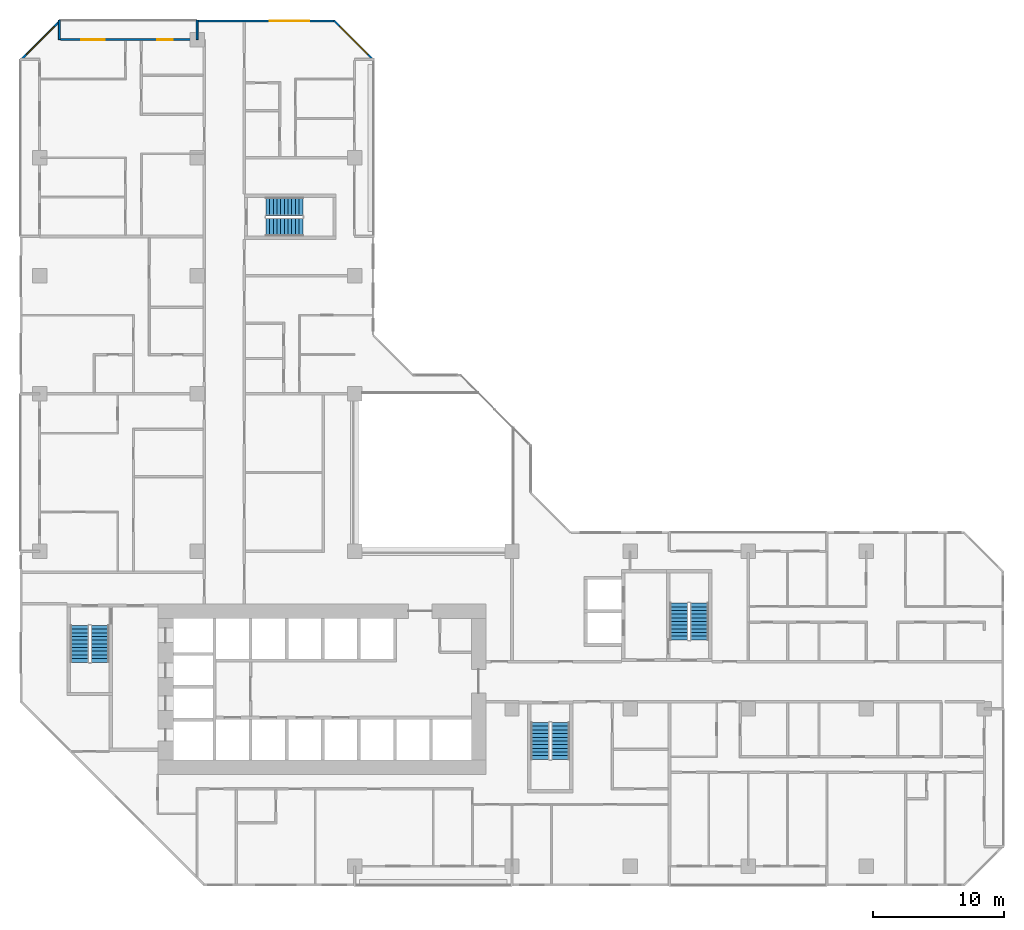
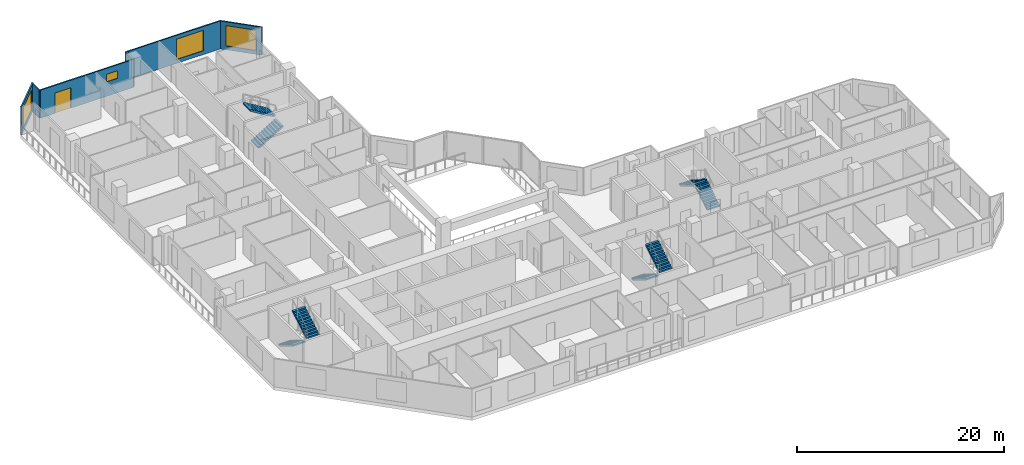
# One storey, part 14 of 16: 8 stair flights, 6 walls, 4 windows, 1 door, 5 openings, 4 elements without a shape of their own.
"""IFC4 building model written with IfcOpenShell, lengths in metres."""

from ifc_helpers import new_model, si_unit, direction, frame, frame_2d, origin, place, context, subcontext, project, spatial, polyline, rectangle, outline, extrude, material, layer, layer_set, type_object, element, fill, aggregate, save


model = new_model("IFC4")

# Units and contexts
model_context = context("Model", 3, precision=1e-05, world=origin(), true_north=direction((0.0, 1.0)))
body_context = subcontext(model_context, "Body", "Model", "MODEL_VIEW")
ifc_project = project(units=[si_unit("LENGTHUNIT", "METRE"), si_unit("AREAUNIT", "SQUARE_METRE"), si_unit("VOLUMEUNIT", "CUBIC_METRE"), si_unit("PLANEANGLEUNIT", "RADIAN"), si_unit("MASSUNIT", "GRAM", prefix="KILO")], contexts=[model_context])

# Site, building, storey
site_placement = place(None, origin())
site = spatial("IfcSite", under=ifc_project, at=site_placement, CompositionType="ELEMENT")
building_placement = place(site_placement, origin())
building = spatial("IfcBuilding", under=site, at=building_placement, Name="Chenar Terraces", CompositionType="ELEMENT")
storey_placement = place(building_placement, frame((0.0, 0.0, 82.64990234375)))
storey = spatial("IfcBuildingStorey", under=building, at=storey_placement, Name="L18", CompositionType="ELEMENT", Elevation=82.64990234375)

# Wall, opening, window
ifc_material_1 = material(Name="Aluminium framed glazing", Category="aluminium")
ifc_layer_1 = layer(ifc_material_1, 0.14990234375)
ifc_layer_set_1 = layer_set([ifc_layer_1], Name="Aluminium framed glazing")
wall_type_1 = type_object("IfcWallType", Name="Glazed flush facade wall 150", PredefinedType="SOLIDWALL", material=ifc_layer_set_1)
wall_1_placement = place(storey_placement, frame((22.5, 64.425048828125, 0.0), z_axis=(0.0, 0.0, 1.0), x_axis=(-1.0, 0.0, 0.0)))
wall_1 = element("IfcWall", 1, at=wall_1_placement, inside=storey, type_object=wall_type_1, Name="Glazed flush facade wall", PredefinedType="SOLIDWALL", context=body_context, shape_type="SweptSolid", body=[
    extrude(rectangle(XDim=10.425048828125, YDim=0.14990234375, at=frame_2d((5.21240234375, 0.0))), origin(), (0.0, 0.0, 1.0), 3.300048828125),
])
opening_1_placement = place(wall_1_placement, frame((1.949951171875, 0.0, 0.449951171875)))
opening_1 = element("IfcOpeningElement", 2, at=opening_1_placement, cuts=wall_1, Name="Opening W300x240", PredefinedType="OPENING", context=body_context, shape_type="SweptSolid", body=[
    extrude(rectangle(XDim=3.0, YDim=2.39990234375, at=frame_2d((1.5, 1.199951171875))), frame((0.0, 0.0849609375, 0.0), z_axis=(0.0, -1.0, 0.0), x_axis=(1.0, 0.0, 0.0)), (0.0, 0.0, 1.0), 0.169921875),
])
ifc_material_2 = material(Name="Low emissivity double glazing, aluminium frame", Category="aluminium")
window_type_1 = type_object("IfcWindowType", Name="Fixed light 3000 x 2400", PartitioningType="SINGLE_PANEL", PredefinedType="WINDOW", material=ifc_material_2)
window_1_placement = place(opening_1_placement, origin())
window_1 = element("IfcWindow", 3, at=window_1_placement, inside=storey, type_object=window_type_1, Name="Window", OverallHeight=2.39990234375, OverallWidth=3.0, PartitioningType="SINGLE_PANEL", PredefinedType="WINDOW", context=body_context, shape_type="SweptSolid", body=[
    extrude(rectangle(XDim=3.0, YDim=2.39990234375, at=frame_2d((1.5, 1.199951171875))), frame((0.0, 0.030029296875, 0.0), z_axis=(0.0, -1.0, 0.0), x_axis=(1.0, 0.0, 0.0)), (0.0, 0.0, 1.0), 0.06005859375),
])
fill(opening_1, window_1)

# Wall, openings, window, door
ifc_material_3 = material(Name="Aluminium framed glazing", Category="aluminium")
ifc_layer_2 = layer(ifc_material_3, 0.14990234375)
ifc_layer_set_2 = layer_set([ifc_layer_2], Name="Aluminium framed glazing")
wall_type_2 = type_object("IfcWallType", Name="Glazed loggia back wall 150", PredefinedType="SOLIDWALL", material=ifc_layer_set_2)
wall_2_placement = place(storey_placement, frame((11.925048828125, 63.0, 0.0), z_axis=(0.0, 0.0, 1.0), x_axis=(-1.0, 0.0, 0.0)))
wall_2 = element("IfcWall", 4, at=wall_2_placement, inside=storey, type_object=wall_type_2, Name="Glazed loggia back wall", PredefinedType="SOLIDWALL", context=body_context, shape_type="SweptSolid", body=[
    extrude(rectangle(XDim=10.35009765625, YDim=0.14990234375, at=frame_2d((5.175048828125, 0.0))), origin(), (0.0, 0.0, 1.0), 3.300048828125),
])
opening_2_placement = place(wall_2_placement, frame((1.77490234375, 0.0, 1.699951171875)))
opening_2 = element("IfcOpeningElement", 5, at=opening_2_placement, cuts=wall_2, Name="Opening W120x90", PredefinedType="OPENING", context=body_context, shape_type="SweptSolid", body=[
    extrude(rectangle(XDim=1.199951171875, YDim=0.89990234375, at=frame_2d((0.60009765625, 0.449951171875))), frame((0.0, 0.0849609375, 0.0), z_axis=(0.0, -1.0, 0.0), x_axis=(1.0, 0.0, 0.0)), (0.0, 0.0, 1.0), 0.169921875),
])
opening_3_placement = place(wall_2_placement, frame((6.96240234375, 0.0, 0.0)))
opening_3 = element("IfcOpeningElement", 6, at=opening_3_placement, cuts=wall_2, Name="Opening DL18-G2", PredefinedType="OPENING", context=body_context, shape_type="SweptSolid", body=[
    extrude(rectangle(XDim=1.800048828125, YDim=2.39990234375, at=frame_2d((0.89990234375, 1.199951171875))), frame((0.0, 0.0849609375, 0.0), z_axis=(0.0, -1.0, 0.0), x_axis=(1.0, 0.0, 0.0)), (0.0, 0.0, 1.0), 0.169921875),
])
ifc_material_4 = material(Name="Low emissivity double glazing, aluminium frame", Category="aluminium")
window_type_2 = type_object("IfcWindowType", Name="Fixed light 1200 x 900", PartitioningType="SINGLE_PANEL", PredefinedType="WINDOW", material=ifc_material_4)
window_2_placement = place(opening_2_placement, origin())
window_2 = element("IfcWindow", 7, at=window_2_placement, inside=storey, type_object=window_type_2, Name="Window", OverallHeight=0.89990234375, OverallWidth=1.199951171875, PartitioningType="SINGLE_PANEL", PredefinedType="WINDOW", context=body_context, shape_type="SweptSolid", body=[
    extrude(rectangle(XDim=1.199951171875, YDim=0.89990234375, at=frame_2d((0.60009765625, 0.449951171875))), frame((0.0, 0.030029296875, 0.0), z_axis=(0.0, -1.0, 0.0), x_axis=(1.0, 0.0, 0.0)), (0.0, 0.0, 1.0), 0.06005859375),
])
fill(opening_2, window_2)
ifc_material_5 = material(Name="Low emissivity double glazing, aluminium frame", Category="aluminium")
door_type = type_object("IfcDoorType", Name="Loggia glazed double door 1800 x 2400", OperationType="DOUBLE_DOOR_SINGLE_SWING", PredefinedType="DOOR", material=ifc_material_5)
door_placement = place(opening_3_placement, frame((1.800048828125, 0.0, 0.0), z_axis=(0.0, 0.0, 1.0), x_axis=(-1.0, 0.0, 0.0)))
door = element("IfcDoor", 8, at=door_placement, inside=storey, type_object=door_type, Name="Loggia glazed door", OperationType="DOUBLE_DOOR_SINGLE_SWING", OverallHeight=2.39990234375, OverallWidth=1.800048828125, PredefinedType="DOOR", context=body_context, shape_type="SweptSolid", body=[
    extrude(rectangle(XDim=1.800048828125, YDim=2.39990234375, at=frame_2d((0.89990234375, 1.199951171875))), frame((0.0, 0.02490234375, 0.0), z_axis=(0.0, -1.0, 0.0), x_axis=(1.0, 0.0, 0.0)), (0.0, 0.0, 1.0), 0.050048828125),
])
fill(opening_3, door)

# Walls
ifc_material_6 = material(Name="Terracotta cladding on insulated backing", Category="masonry")
ifc_layer_3 = layer(ifc_material_6, 0.14990234375)
ifc_layer_set_3 = layer_set([ifc_layer_3], Name="Terracotta cladding on insulated backing")
wall_type_3 = type_object("IfcWallType", Name="Loggia return wall 150", PredefinedType="SOLIDWALL", material=ifc_layer_set_3)
for number, where, z_axis, x_axis, name in (
    (9, (12.0, 64.5, 0.0), (0.0, 0.0, 1.0), (0.0, -1.0, 0.0), "Loggia return wall"),
    (10, (1.5, 64.5, 0.0), (0.0, 0.0, 1.0), (0.0, -1.0, 0.0), "Loggia return wall"),
):
    element("IfcWall", number, at=place(storey_placement, frame(where, z_axis=z_axis, x_axis=x_axis)), inside=storey, type_object=wall_type_3, Name=name, PredefinedType="SOLIDWALL", context=body_context, shape_type="SweptSolid", body=[
        extrude(rectangle(XDim=1.5, YDim=0.14990234375, at=frame_2d((0.75, 0.0))), origin(), (0.0, 0.0, 1.0), 3.300048828125),
    ])

# Wall, opening, window
ifc_material_7 = material(Name="Terracotta cladding on insulated backing", Category="masonry")
ifc_layer_4 = layer(ifc_material_7, 0.14990234375)
ifc_layer_set_4 = layer_set([ifc_layer_4], Name="Terracotta cladding on insulated backing")
wall_type_4 = type_object("IfcWallType", Name="Terracotta rainscreen wall 150", PredefinedType="SOLIDWALL", material=ifc_layer_set_4)
wall_3_placement = place(storey_placement, frame((25.447021484375, 61.447021484375, 0.0), z_axis=(0.0, 0.0, 1.0), x_axis=(-0.707106781187, 0.707106781187, 0.0)))
wall_3 = element("IfcWall", 11, at=wall_3_placement, inside=storey, type_object=wall_type_4, Name="Terracotta rainscreen wall", PredefinedType="SOLIDWALL", context=body_context, shape_type="SweptSolid", body=[
    extrude(rectangle(XDim=4.24267578125, YDim=0.14990234375, at=frame_2d((2.121337890625, 0.0))), origin(), (0.0, 0.0, 1.0), 3.300048828125),
])
opening_4_placement = place(wall_3_placement, frame((0.621337890625, 0.0, 0.449951171875)))
opening_4 = element("IfcOpeningElement", 12, at=opening_4_placement, cuts=wall_3, Name="Opening W300x240", PredefinedType="OPENING", context=body_context, shape_type="SweptSolid", body=[
    extrude(rectangle(XDim=3.0, YDim=2.39990234375, at=frame_2d((1.5, 1.199951171875))), frame((0.0, 0.0849609375, 0.0), z_axis=(0.0, -1.0, 0.0), x_axis=(1.0, 0.0, 0.0)), (0.0, 0.0, 1.0), 0.169921875),
])
window_3_placement = place(opening_4_placement, origin())
window_3 = element("IfcWindow", 13, at=window_3_placement, inside=storey, type_object=window_type_1, Name="Window", OverallHeight=2.39990234375, OverallWidth=3.0, PartitioningType="SINGLE_PANEL", PredefinedType="WINDOW", context=body_context, shape_type="SweptSolid", body=[
    extrude(rectangle(XDim=3.0, YDim=2.39990234375, at=frame_2d((1.5, 1.199951171875))), frame((0.0, 0.030029296875, 0.0), z_axis=(0.0, -1.0, 0.0), x_axis=(1.0, 0.0, 0.0)), (0.0, 0.0, 1.0), 0.06005859375),
])
fill(opening_4, window_3)

wall_4_placement = place(storey_placement, frame((1.552978515625, 64.447021484375, 0.0), z_axis=(0.0, 0.0, 1.0), x_axis=(-0.707106781187, -0.707106781187, 0.0)))
wall_4 = element("IfcWall", 14, at=wall_4_placement, inside=storey, type_object=wall_type_4, Name="Terracotta rainscreen wall", PredefinedType="SOLIDWALL", context=body_context, shape_type="SweptSolid", body=[
    extrude(rectangle(XDim=4.24267578125, YDim=0.14990234375, at=frame_2d((2.121337890625, 0.0))), origin(), (0.0, 0.0, 1.0), 3.300048828125),
])
opening_5_placement = place(wall_4_placement, frame((0.621337890625, 0.0, 0.449951171875)))
opening_5 = element("IfcOpeningElement", 15, at=opening_5_placement, cuts=wall_4, Name="Opening W300x240", PredefinedType="OPENING", context=body_context, shape_type="SweptSolid", body=[
    extrude(rectangle(XDim=3.0, YDim=2.39990234375, at=frame_2d((1.5, 1.199951171875))), frame((0.0, 0.0849609375, 0.0), z_axis=(0.0, -1.0, 0.0), x_axis=(1.0, 0.0, 0.0)), (0.0, 0.0, 1.0), 0.169921875),
])
window_4_placement = place(opening_5_placement, origin())
window_4 = element("IfcWindow", 16, at=window_4_placement, inside=storey, type_object=window_type_1, Name="Window", OverallHeight=2.39990234375, OverallWidth=3.0, PartitioningType="SINGLE_PANEL", PredefinedType="WINDOW", context=body_context, shape_type="SweptSolid", body=[
    extrude(rectangle(XDim=3.0, YDim=2.39990234375, at=frame_2d((1.5, 1.199951171875))), frame((0.0, 0.030029296875, 0.0), z_axis=(0.0, -1.0, 0.0), x_axis=(1.0, 0.0, 0.0)), (0.0, 0.0, 1.0), 0.06005859375),
])
fill(opening_5, window_4)

# Stair, stair flights
ifc_material_8 = material(Name="Reinforced concrete C40/50", Category="concrete")
stair_type = type_object("IfcStairType", Name="Core stair 1400 half-turn", PredefinedType="HALF_TURN_STAIR", material=ifc_material_8)
placement = place(storey_placement, origin())
stair_1 = element("IfcStair", 17, at=placement, inside=storey, type_object=stair_type, Name="L18 Stair 1", PredefinedType="HALF_TURN_STAIR")
ifc_material_9 = material(Name="Reinforced concrete C40/50", Category="concrete")
stair_flight_type = type_object("IfcStairFlightType", Name="Core stair flight 1400", PredefinedType="STRAIGHT", material=ifc_material_9)
stair_flight_1_placement = place(storey_placement, frame((3.050048828125, 18.35009765625, 0.0), z_axis=(0.0, 0.0, 1.0), x_axis=(0.0, -1.0, 0.0)))
stair_flight_1 = element("IfcStairFlight", 18, at=stair_flight_1_placement, type_object=stair_flight_type, Name="ST1 flight 1", NumberOfRisers=11, NumberOfTreads=10, PredefinedType="STRAIGHT", RiserHeight=0.170454545, TreadLength=0.28, context=body_context, shape_type="SweptSolid", body=[
    extrude(outline(polyline([(-0.0029296875, 0.0), (-0.0029296875, 0.17041015625), (0.0, 0.17041015625), (0.280029296875, 0.17041015625), (0.280029296875, 0.3408203125), (0.56005859375, 0.3408203125), (0.56005859375, 0.511474609375), (0.840087890625, 0.511474609375), (0.840087890625, 0.681884765625), (1.1201171875, 0.681884765625), (1.1201171875, 0.852294921875), (1.39990234375, 0.852294921875), (1.39990234375, 1.022705078125), (1.679931640625, 1.022705078125), (1.679931640625, 1.193115234375), (1.9599609375, 1.193115234375), (1.9599609375, 1.363525390625), (2.239990234375, 1.363525390625), (2.239990234375, 1.5341796875), (2.52001953125, 1.5341796875), (2.52001953125, 1.70458984375), (2.800048828125, 1.70458984375), (2.802978515625, 1.70458984375), (2.802978515625, 1.529052734375), (2.800048828125, 1.529052734375), (0.288330078125, 0.0), (-0.0029296875, 0.0)])), frame((0.0, 0.699951171875, 0.0), z_axis=(0.0, -1.0, 0.0), x_axis=(1.0, 0.0, 0.0)), (0.0, 0.0, 1.0), 1.39990234375),
])
stair_flight_2_placement = place(storey_placement, frame((4.60009765625, 15.550048828125, 1.875), z_axis=(0.0, 0.0, 1.0), x_axis=(0.0, 1.0, 0.0)))
stair_flight_2 = element("IfcStairFlight", 19, at=stair_flight_2_placement, type_object=stair_flight_type, Name="ST1 flight 2", NumberOfRisers=11, NumberOfTreads=10, PredefinedType="STRAIGHT", RiserHeight=0.170454545, TreadLength=0.28, context=body_context, shape_type="SweptSolid", body=[
    extrude(outline(polyline([(-0.0029296875, 0.0), (-0.0029296875, 0.17041015625), (0.0, 0.17041015625), (0.280029296875, 0.17041015625), (0.280029296875, 0.3408203125), (0.56005859375, 0.3408203125), (0.56005859375, 0.511474609375), (0.840087890625, 0.511474609375), (0.840087890625, 0.681884765625), (1.1201171875, 0.681884765625), (1.1201171875, 0.852294921875), (1.39990234375, 0.852294921875), (1.39990234375, 1.022705078125), (1.679931640625, 1.022705078125), (1.679931640625, 1.193115234375), (1.9599609375, 1.193115234375), (1.9599609375, 1.363525390625), (2.239990234375, 1.363525390625), (2.239990234375, 1.5341796875), (2.52001953125, 1.5341796875), (2.52001953125, 1.70458984375), (2.800048828125, 1.70458984375), (2.802978515625, 1.70458984375), (2.802978515625, 1.529052734375), (2.800048828125, 1.529052734375), (0.288330078125, 0.0), (-0.0029296875, 0.0)])), frame((0.0, 0.699951171875, 0.0), z_axis=(0.0, -1.0, 0.0), x_axis=(1.0, 0.0, 0.0)), (0.0, 0.0, 1.0), 1.39990234375),
])
aggregate(stair_1, [stair_flight_1, stair_flight_2])

stair_2 = element("IfcStair", 20, at=placement, inside=storey, type_object=stair_type, Name="L18 Stair 2", PredefinedType="HALF_TURN_STAIR")
stair_flight_3_placement = place(storey_placement, frame((38.14990234375, 10.949951171875, 0.0), z_axis=(0.0, 0.0, 1.0), x_axis=(0.0, -1.0, 0.0)))
stair_flight_3 = element("IfcStairFlight", 21, at=stair_flight_3_placement, type_object=stair_flight_type, Name="ST2 flight 1", NumberOfRisers=11, NumberOfTreads=10, PredefinedType="STRAIGHT", RiserHeight=0.170454545, TreadLength=0.28, context=body_context, shape_type="SweptSolid", body=[
    extrude(outline(polyline([(-0.0029296875, 0.0), (-0.0029296875, 0.17041015625), (0.0, 0.17041015625), (0.280029296875, 0.17041015625), (0.280029296875, 0.3408203125), (0.56005859375, 0.3408203125), (0.56005859375, 0.511474609375), (0.840087890625, 0.511474609375), (0.840087890625, 0.681884765625), (1.1201171875, 0.681884765625), (1.1201171875, 0.852294921875), (1.39990234375, 0.852294921875), (1.39990234375, 1.022705078125), (1.679931640625, 1.022705078125), (1.679931640625, 1.193115234375), (1.9599609375, 1.193115234375), (1.9599609375, 1.363525390625), (2.239990234375, 1.363525390625), (2.239990234375, 1.5341796875), (2.52001953125, 1.5341796875), (2.52001953125, 1.70458984375), (2.800048828125, 1.70458984375), (2.802978515625, 1.70458984375), (2.802978515625, 1.529052734375), (2.800048828125, 1.529052734375), (0.288330078125, 0.0), (-0.0029296875, 0.0)])), frame((0.0, 0.699951171875, 0.0), z_axis=(0.0, -1.0, 0.0), x_axis=(1.0, 0.0, 0.0)), (0.0, 0.0, 1.0), 1.39990234375),
])
stair_flight_4_placement = place(storey_placement, frame((39.699951171875, 8.14990234375, 1.875), z_axis=(0.0, 0.0, 1.0), x_axis=(0.0, 1.0, 0.0)))
stair_flight_4 = element("IfcStairFlight", 22, at=stair_flight_4_placement, type_object=stair_flight_type, Name="ST2 flight 2", NumberOfRisers=11, NumberOfTreads=10, PredefinedType="STRAIGHT", RiserHeight=0.170454545, TreadLength=0.28, context=body_context, shape_type="SweptSolid", body=[
    extrude(outline(polyline([(-0.0029296875, 0.0), (-0.0029296875, 0.17041015625), (0.0, 0.17041015625), (0.280029296875, 0.17041015625), (0.280029296875, 0.3408203125), (0.56005859375, 0.3408203125), (0.56005859375, 0.511474609375), (0.840087890625, 0.511474609375), (0.840087890625, 0.681884765625), (1.1201171875, 0.681884765625), (1.1201171875, 0.852294921875), (1.39990234375, 0.852294921875), (1.39990234375, 1.022705078125), (1.679931640625, 1.022705078125), (1.679931640625, 1.193115234375), (1.9599609375, 1.193115234375), (1.9599609375, 1.363525390625), (2.239990234375, 1.363525390625), (2.239990234375, 1.5341796875), (2.52001953125, 1.5341796875), (2.52001953125, 1.70458984375), (2.800048828125, 1.70458984375), (2.802978515625, 1.70458984375), (2.802978515625, 1.529052734375), (2.800048828125, 1.529052734375), (0.288330078125, 0.0), (-0.0029296875, 0.0)])), frame((0.0, 0.699951171875, 0.0), z_axis=(0.0, -1.0, 0.0), x_axis=(1.0, 0.0, 0.0)), (0.0, 0.0, 1.0), 1.39990234375),
])
aggregate(stair_2, [stair_flight_3, stair_flight_4])

stair_3 = element("IfcStair", 23, at=placement, inside=storey, type_object=stair_type, Name="L18 Stair 3", PredefinedType="HALF_TURN_STAIR")
stair_flight_5_placement = place(storey_placement, frame((50.27490234375, 17.25, 0.0), z_axis=(0.0, 0.0, 1.0), x_axis=(0.0, 1.0, 0.0)))
stair_flight_5 = element("IfcStairFlight", 24, at=stair_flight_5_placement, type_object=stair_flight_type, Name="ST3 flight 1", NumberOfRisers=11, NumberOfTreads=10, PredefinedType="STRAIGHT", RiserHeight=0.170454545, TreadLength=0.28, context=body_context, shape_type="SweptSolid", body=[
    extrude(outline(polyline([(-0.0029296875, 0.0), (-0.0029296875, 0.17041015625), (0.0, 0.17041015625), (0.280029296875, 0.17041015625), (0.280029296875, 0.3408203125), (0.56005859375, 0.3408203125), (0.56005859375, 0.511474609375), (0.840087890625, 0.511474609375), (0.840087890625, 0.681884765625), (1.1201171875, 0.681884765625), (1.1201171875, 0.852294921875), (1.39990234375, 0.852294921875), (1.39990234375, 1.022705078125), (1.679931640625, 1.022705078125), (1.679931640625, 1.193115234375), (1.9599609375, 1.193115234375), (1.9599609375, 1.363525390625), (2.239990234375, 1.363525390625), (2.239990234375, 1.5341796875), (2.52001953125, 1.5341796875), (2.52001953125, 1.70458984375), (2.800048828125, 1.70458984375), (2.802978515625, 1.70458984375), (2.802978515625, 1.529052734375), (2.800048828125, 1.529052734375), (0.288330078125, 0.0), (-0.0029296875, 0.0)])), frame((0.0, 0.699951171875, 0.0), z_axis=(0.0, -1.0, 0.0), x_axis=(1.0, 0.0, 0.0)), (0.0, 0.0, 1.0), 1.39990234375),
])
stair_flight_6_placement = place(storey_placement, frame((48.72509765625, 20.050048828125, 1.875), z_axis=(0.0, 0.0, 1.0), x_axis=(0.0, -1.0, 0.0)))
stair_flight_6 = element("IfcStairFlight", 25, at=stair_flight_6_placement, type_object=stair_flight_type, Name="ST3 flight 2", NumberOfRisers=11, NumberOfTreads=10, PredefinedType="STRAIGHT", RiserHeight=0.170454545, TreadLength=0.28, context=body_context, shape_type="SweptSolid", body=[
    extrude(outline(polyline([(-0.0029296875, 0.0), (-0.0029296875, 0.17041015625), (0.0, 0.17041015625), (0.280029296875, 0.17041015625), (0.280029296875, 0.3408203125), (0.56005859375, 0.3408203125), (0.56005859375, 0.511474609375), (0.840087890625, 0.511474609375), (0.840087890625, 0.681884765625), (1.1201171875, 0.681884765625), (1.1201171875, 0.852294921875), (1.39990234375, 0.852294921875), (1.39990234375, 1.022705078125), (1.679931640625, 1.022705078125), (1.679931640625, 1.193115234375), (1.9599609375, 1.193115234375), (1.9599609375, 1.363525390625), (2.239990234375, 1.363525390625), (2.239990234375, 1.5341796875), (2.52001953125, 1.5341796875), (2.52001953125, 1.70458984375), (2.800048828125, 1.70458984375), (2.802978515625, 1.70458984375), (2.802978515625, 1.529052734375), (2.800048828125, 1.529052734375), (0.288330078125, 0.0), (-0.0029296875, 0.0)])), frame((0.0, 0.699951171875, 0.0), z_axis=(0.0, -1.0, 0.0), x_axis=(1.0, 0.0, 0.0)), (0.0, 0.0, 1.0), 1.39990234375),
])
aggregate(stair_3, [stair_flight_5, stair_flight_6])

stair_4 = element("IfcStair", 26, at=placement, inside=storey, type_object=stair_type, Name="L18 Stair 4", PredefinedType="HALF_TURN_STAIR")
stair_flight_7_placement = place(storey_placement, frame((17.25, 48.72509765625, 0.0), z_axis=(0.0, 0.0, 1.0), x_axis=(1.0, 0.0, 0.0)))
stair_flight_7 = element("IfcStairFlight", 27, at=stair_flight_7_placement, type_object=stair_flight_type, Name="ST4 flight 1", NumberOfRisers=11, NumberOfTreads=10, PredefinedType="STRAIGHT", RiserHeight=0.170454545, TreadLength=0.28, context=body_context, shape_type="SweptSolid", body=[
    extrude(outline(polyline([(-0.0029296875, 0.0), (-0.0029296875, 0.17041015625), (0.0, 0.17041015625), (0.280029296875, 0.17041015625), (0.280029296875, 0.3408203125), (0.56005859375, 0.3408203125), (0.56005859375, 0.511474609375), (0.840087890625, 0.511474609375), (0.840087890625, 0.681884765625), (1.1201171875, 0.681884765625), (1.1201171875, 0.852294921875), (1.39990234375, 0.852294921875), (1.39990234375, 1.022705078125), (1.679931640625, 1.022705078125), (1.679931640625, 1.193115234375), (1.9599609375, 1.193115234375), (1.9599609375, 1.363525390625), (2.239990234375, 1.363525390625), (2.239990234375, 1.5341796875), (2.52001953125, 1.5341796875), (2.52001953125, 1.70458984375), (2.800048828125, 1.70458984375), (2.802978515625, 1.70458984375), (2.802978515625, 1.529052734375), (2.800048828125, 1.529052734375), (0.288330078125, 0.0), (-0.0029296875, 0.0)])), frame((0.0, 0.699951171875, 0.0), z_axis=(0.0, -1.0, 0.0), x_axis=(1.0, 0.0, 0.0)), (0.0, 0.0, 1.0), 1.39990234375),
])
stair_flight_8_placement = place(storey_placement, frame((20.050048828125, 50.27490234375, 1.875), z_axis=(0.0, 0.0, 1.0), x_axis=(-1.0, 0.0, 0.0)))
stair_flight_8 = element("IfcStairFlight", 28, at=stair_flight_8_placement, type_object=stair_flight_type, Name="ST4 flight 2", NumberOfRisers=11, NumberOfTreads=10, PredefinedType="STRAIGHT", RiserHeight=0.170454545, TreadLength=0.28, context=body_context, shape_type="SweptSolid", body=[
    extrude(outline(polyline([(-0.0029296875, 0.0), (-0.0029296875, 0.17041015625), (0.0, 0.17041015625), (0.280029296875, 0.17041015625), (0.280029296875, 0.3408203125), (0.56005859375, 0.3408203125), (0.56005859375, 0.511474609375), (0.840087890625, 0.511474609375), (0.840087890625, 0.681884765625), (1.1201171875, 0.681884765625), (1.1201171875, 0.852294921875), (1.39990234375, 0.852294921875), (1.39990234375, 1.022705078125), (1.679931640625, 1.022705078125), (1.679931640625, 1.193115234375), (1.9599609375, 1.193115234375), (1.9599609375, 1.363525390625), (2.239990234375, 1.363525390625), (2.239990234375, 1.5341796875), (2.52001953125, 1.5341796875), (2.52001953125, 1.70458984375), (2.800048828125, 1.70458984375), (2.802978515625, 1.70458984375), (2.802978515625, 1.529052734375), (2.800048828125, 1.529052734375), (0.288330078125, 0.0), (-0.0029296875, 0.0)])), frame((0.0, 0.699951171875, 0.0), z_axis=(0.0, -1.0, 0.0), x_axis=(1.0, 0.0, 0.0)), (0.0, 0.0, 1.0), 1.39990234375),
])
aggregate(stair_4, [stair_flight_7, stair_flight_8])

save(model, "model.ifc")
